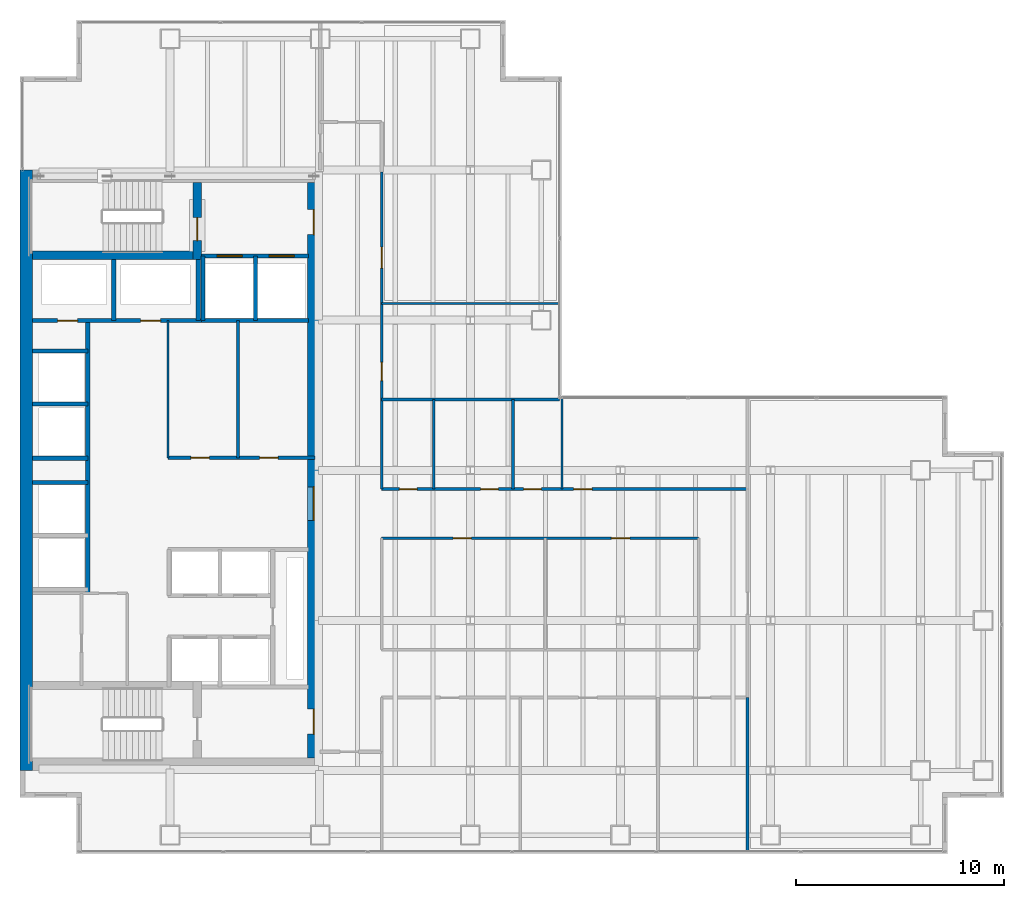
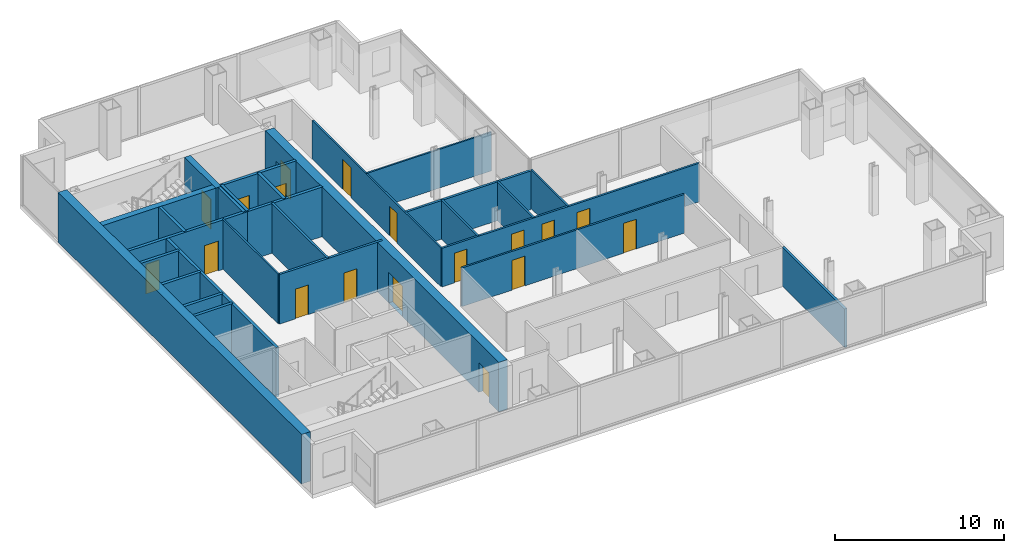
# One storey, part 21 of 24: 28 walls, 18 doors, 18 openings.
"""IFC4 building model written with IfcOpenShell, lengths in metres."""

from ifc_helpers import new_model, si_unit, direction, frame, frame_2d, origin, place, context, subcontext, project, spatial, rectangle, extrude, material, layer, layer_set, type_object, element, fill, save


model = new_model("IFC4")

# Units and contexts
model_context = context("Model", 3, precision=1e-05, world=origin(), true_north=direction((0.0, 1.0)))
body_context = subcontext(model_context, "Body", "Model", "MODEL_VIEW")
ifc_project = project(units=[si_unit("LENGTHUNIT", "METRE"), si_unit("AREAUNIT", "SQUARE_METRE"), si_unit("VOLUMEUNIT", "CUBIC_METRE"), si_unit("PLANEANGLEUNIT", "RADIAN"), si_unit("MASSUNIT", "GRAM", prefix="KILO")], contexts=[model_context])

# Site, building, storey
site_placement = place(None, origin())
site = spatial("IfcSite", under=ifc_project, at=site_placement, CompositionType="ELEMENT")
building_placement = place(site_placement, origin())
building = spatial("IfcBuilding", under=site, at=building_placement, Name="Cobrela Telecom Tower", CompositionType="ELEMENT")
storey_placement = place(building_placement, frame((0.0, 0.0, 106.050048828125)))
storey = spatial("IfcBuildingStorey", under=building, at=storey_placement, Name="L26", CompositionType="ELEMENT", Elevation=106.050048828125)

# Wall
ifc_material_1 = material(Name="Concrete C50/60", Category="concrete")
ifc_layer_1 = layer(ifc_material_1, 0.60009765625)
ifc_layer_set_1 = layer_set([ifc_layer_1], Name="Concrete C50/60")
wall_type_1 = type_object("IfcWallType", Name="WALL-CORE-C50-600", PredefinedType="SHEAR", material=ifc_layer_set_1)
wall_1_placement = place(storey_placement, frame((0.300048828125, 7.199951171875, 0.0), z_axis=(0.0, 0.0, 1.0), x_axis=(0.0, 1.0, 0.0)))
element("IfcWall", 1, at=wall_1_placement, inside=storey, type_object=wall_type_1, Name="L26 West Core Shear Wall", PredefinedType="SHEAR", context=body_context, shape_type="SweptSolid", body=[
    extrude(rectangle(XDim=28.800048828125, YDim=0.60009765625, at=frame_2d((14.39990234375, 0.0))), origin(), (0.0, 0.0, 1.0), 3.579833984375),
])

# Wall, openings, doors
wall_2_placement = place(storey_placement, frame((14.10009765625, 35.39990234375, 0.0), z_axis=(0.0, 0.0, 1.0), x_axis=(0.0, -1.0, 0.0)))
wall_2 = element("IfcWall", 2, at=wall_2_placement, inside=storey, type_object=wall_type_1, Name="L26 East Core Shear Wall", PredefinedType="SHEAR", context=body_context, shape_type="SweptSolid", body=[
    extrude(rectangle(XDim=27.599853515625, YDim=0.60009765625, at=frame_2d((13.7998046875, 0.0))), origin(), (0.0, 0.0, 1.0), 3.579833984375),
])
opening_1_placement = place(wall_2_placement, frame((1.300048828125, 0.0, 0.0)))
opening_1 = element("IfcOpeningElement", 3, at=opening_1_placement, cuts=wall_2, Name="Opening DR-19", PredefinedType="OPENING", context=body_context, shape_type="SweptSolid", body=[
    extrude(rectangle(XDim=1.199951171875, YDim=2.14990234375, at=frame_2d((0.60009765625, 1.074951171875))), frame((0.0, 0.31201171875, 0.0), z_axis=(0.0, -1.0, 0.0), x_axis=(1.0, 0.0, 0.0)), (0.0, 0.0, 1.0), 0.6240234375),
])
opening_2_placement = place(wall_2_placement, frame((25.25, 0.0, 0.0)))
opening_2 = element("IfcOpeningElement", 4, at=opening_2_placement, cuts=wall_2, Name="Opening DR-19", PredefinedType="OPENING", context=body_context, shape_type="SweptSolid", body=[
    extrude(rectangle(XDim=1.199951171875, YDim=2.14990234375, at=frame_2d((0.60009765625, 1.074951171875))), frame((0.0, 0.31201171875, 0.0), z_axis=(0.0, -1.0, 0.0), x_axis=(1.0, 0.0, 0.0)), (0.0, 0.0, 1.0), 0.6240234375),
])
opening_3_placement = place(wall_2_placement, frame((14.60009765625, 0.0, 0.0)))
opening_3 = element("IfcOpeningElement", 5, at=opening_3_placement, cuts=wall_2, Name="Opening DR-51", PredefinedType="OPENING", context=body_context, shape_type="SweptSolid", body=[
    extrude(rectangle(XDim=1.60009765625, YDim=2.199951171875, at=frame_2d((0.800048828125, 1.10009765625))), frame((0.0, 0.31201171875, 0.0), z_axis=(0.0, -1.0, 0.0), x_axis=(1.0, 0.0, 0.0)), (0.0, 0.0, 1.0), 0.6240234375),
])
ifc_material_2 = material(Name="Steel ASTM A36", Category="steel")
door_type_1 = type_object("IfcDoorType", Name="DOOR-FD60-1200", OperationType="SINGLE_SWING_LEFT", PredefinedType="DOOR", material=ifc_material_2)
door_1_placement = place(opening_1_placement, origin())
door_1 = element("IfcDoor", 6, at=door_1_placement, inside=storey, type_object=door_type_1, Name="L26 Door DR-19", OperationType="SINGLE_SWING_LEFT", OverallHeight=2.14990234375, OverallWidth=1.199951171875, PredefinedType="DOOR", context=body_context, shape_type="SweptSolid", body=[
    extrude(rectangle(XDim=1.199951171875, YDim=2.14990234375, at=frame_2d((0.60009765625, 1.074951171875))), frame((0.0, 0.02490234375, 0.0), z_axis=(0.0, -1.0, 0.0), x_axis=(1.0, 0.0, 0.0)), (0.0, 0.0, 1.0), 0.050048828125),
])
fill(opening_1, door_1)
door_2_placement = place(opening_2_placement, origin())
door_2 = element("IfcDoor", 7, at=door_2_placement, inside=storey, type_object=door_type_1, Name="L26 Door DR-19", OperationType="SINGLE_SWING_RIGHT", OverallHeight=2.14990234375, OverallWidth=1.199951171875, PredefinedType="DOOR", context=body_context, shape_type="SweptSolid", body=[
    extrude(rectangle(XDim=1.199951171875, YDim=2.14990234375, at=frame_2d((0.60009765625, 1.074951171875))), frame((0.0, 0.02490234375, 0.0), z_axis=(0.0, -1.0, 0.0), x_axis=(1.0, 0.0, 0.0)), (0.0, 0.0, 1.0), 0.050048828125),
])
fill(opening_2, door_2)
door_type_2 = type_object("IfcDoorType", Name="DOOR-FD60-1600", OperationType="SINGLE_SWING_LEFT", PredefinedType="DOOR", material=ifc_material_2)
door_3_placement = place(opening_3_placement, origin())
door_3 = element("IfcDoor", 8, at=door_3_placement, inside=storey, type_object=door_type_2, Name="L26 Door DR-51", OperationType="DOUBLE_DOOR_SINGLE_SWING", OverallHeight=2.199951171875, OverallWidth=1.60009765625, PredefinedType="DOOR", context=body_context, shape_type="SweptSolid", body=[
    extrude(rectangle(XDim=1.60009765625, YDim=2.199951171875, at=frame_2d((0.800048828125, 1.10009765625))), frame((0.0, 0.02490234375, 0.0), z_axis=(0.0, -1.0, 0.0), x_axis=(1.0, 0.0, 0.0)), (0.0, 0.0, 1.0), 0.050048828125),
])
fill(opening_3, door_3)

# Wall
ifc_material_3 = material(Name="Fire-Rated Gypsum Plasterboard")
ifc_layer_2 = layer(ifc_material_3, 0.110107421875)
ifc_layer_set_2 = layer_set([ifc_layer_2], Name="Fire-Rated Gypsum Plasterboard")
wall_type_2 = type_object("IfcWallType", Name="WALL-PART-110", PredefinedType="PARTITIONING", material=ifc_layer_set_2)
wall_3_placement = place(storey_placement, frame((7.10009765625, 22.199951171875, 0.0), z_axis=(0.0, 0.0, 1.0), x_axis=(0.0, 1.0, 0.0)))
element("IfcWall", 9, at=wall_3_placement, inside=storey, type_object=wall_type_2, Name="L26 Interior Partition CW-RECL-W", PredefinedType="PARTITIONING", context=body_context, shape_type="SweptSolid", body=[
    extrude(rectangle(XDim=6.580078125, YDim=0.110107421875, at=frame_2d((3.2900390625, 0.0))), origin(), (0.0, 0.0, 1.0), 3.579833984375),
])

# Wall, openings, doors
wall_4_placement = place(storey_placement, frame((17.35009765625, 20.699951171875, 0.0), z_axis=(0.0, 0.0, 1.0), x_axis=(0.0, 1.0, 0.0)))
wall_4 = element("IfcWall", 10, at=wall_4_placement, inside=storey, type_object=wall_type_2, Name="L26 Interior Partition W-UW-E2", PredefinedType="PARTITIONING", context=body_context, shape_type="SweptSolid", body=[
    extrude(rectangle(XDim=15.199951171875, YDim=0.110107421875, at=frame_2d((7.60009765625, 0.0))), origin(), (0.0, 0.0, 1.0), 2.79296875),
])
opening_4_placement = place(wall_4_placement, frame((5.199951171875, 0.0, 0.0)))
opening_4 = element("IfcOpeningElement", 11, at=opening_4_placement, cuts=wall_4, Name="Opening DR-39", PredefinedType="OPENING", context=body_context, shape_type="SweptSolid", body=[
    extrude(rectangle(XDim=0.8798828125, YDim=2.14990234375, at=frame_2d((0.43994140625, 1.074951171875))), frame((0.0, 0.06689453125, 0.0), z_axis=(0.0, -1.0, 0.0), x_axis=(1.0, 0.0, 0.0)), (0.0, 0.0, 1.0), 0.134033203125),
])
opening_5_placement = place(wall_4_placement, frame((10.60009765625, 0.0, 0.0)))
opening_5 = element("IfcOpeningElement", 12, at=opening_5_placement, cuts=wall_4, Name="Opening DR-31", PredefinedType="OPENING", context=body_context, shape_type="SweptSolid", body=[
    extrude(rectangle(XDim=1.0, YDim=2.14990234375, at=frame_2d((0.5, 1.074951171875))), frame((0.0, 0.06689453125, 0.0), z_axis=(0.0, -1.0, 0.0), x_axis=(1.0, 0.0, 0.0)), (0.0, 0.0, 1.0), 0.134033203125),
])
ifc_material_4 = material(Name="Solid Engineered Oak Timber", Category="wood")
door_type_3 = type_object("IfcDoorType", Name="DOOR-INT-1000", OperationType="SINGLE_SWING_LEFT", PredefinedType="DOOR", material=ifc_material_4)
door_4_placement = place(opening_5_placement, origin())
door_4 = element("IfcDoor", 13, at=door_4_placement, inside=storey, type_object=door_type_3, Name="L26 Door DR-31", OperationType="SINGLE_SWING_LEFT", OverallHeight=2.14990234375, OverallWidth=1.0, PredefinedType="DOOR", context=body_context, shape_type="SweptSolid", body=[
    extrude(rectangle(XDim=1.0, YDim=2.14990234375, at=frame_2d((0.5, 1.074951171875))), frame((0.0, 0.02490234375, 0.0), z_axis=(0.0, -1.0, 0.0), x_axis=(1.0, 0.0, 0.0)), (0.0, 0.0, 1.0), 0.050048828125),
])
fill(opening_5, door_4)
door_type_4 = type_object("IfcDoorType", Name="DOOR-INT-880", OperationType="SINGLE_SWING_LEFT", PredefinedType="DOOR", material=ifc_material_4)
door_5_placement = place(opening_4_placement, origin())
door_5 = element("IfcDoor", 14, at=door_5_placement, inside=storey, type_object=door_type_4, Name="L26 Door DR-39", OperationType="SINGLE_SWING_RIGHT", OverallHeight=2.14990234375, OverallWidth=0.8798828125, PredefinedType="DOOR", context=body_context, shape_type="SweptSolid", body=[
    extrude(rectangle(XDim=0.8798828125, YDim=2.14990234375, at=frame_2d((0.43994140625, 1.074951171875))), frame((0.0, 0.02490234375, 0.0), z_axis=(0.0, -1.0, 0.0), x_axis=(1.0, 0.0, 0.0)), (0.0, 0.0, 1.0), 0.050048828125),
])
fill(opening_4, door_5)

# Walls
wall_5_placement = place(storey_placement, frame((17.35009765625, 29.60009765625, 0.0), z_axis=(0.0, 0.0, 1.0), x_axis=(1.0, 0.0, 0.0)))
element("IfcWall", 15, at=wall_5_placement, inside=storey, type_object=wall_type_2, Name="L26 Interior Partition W-NPAN-N", PredefinedType="PARTITIONING", context=body_context, shape_type="SweptSolid", body=[
    extrude(rectangle(XDim=8.52978515625, YDim=0.110107421875, at=frame_2d((4.264892578125, 0.0))), origin(), (0.0, 0.0, 1.0), 2.79296875),
])
wall_6_placement = place(storey_placement, frame((26.0, 20.699951171875, 0.0), z_axis=(0.0, 0.0, 1.0), x_axis=(0.0, 1.0, 0.0)))
element("IfcWall", 16, at=wall_6_placement, inside=storey, type_object=wall_type_2, Name="L26 Interior Partition W-UEN-W", PredefinedType="PARTITIONING", context=body_context, shape_type="SweptSolid", body=[
    extrude(rectangle(XDim=4.380126953125, YDim=0.110107421875, at=frame_2d((2.18994140625, 0.0))), origin(), (0.0, 0.0, 1.0), 2.79296875),
])

# Wall, openings, doors
ifc_layer_3 = layer(ifc_material_3, 0.125)
ifc_layer_set_3 = layer_set([ifc_layer_3], Name="Fire-Rated Gypsum Plasterboard")
wall_type_3 = type_object("IfcWallType", Name="WALL-PART-125", PredefinedType="PARTITIONING", material=ifc_layer_set_3)
wall_7_placement = place(storey_placement, frame((17.35009765625, 18.35009765625, 0.0), z_axis=(0.0, 0.0, 1.0), x_axis=(1.0, 0.0, 0.0)))
wall_7 = element("IfcWall", 17, at=wall_7_placement, inside=storey, type_object=wall_type_3, Name="L26 Interior Partition W-ISL-N", PredefinedType="PARTITIONING", context=body_context, shape_type="SweptSolid", body=[
    extrude(rectangle(XDim=15.199951171875, YDim=0.125, at=frame_2d((7.60009765625, 0.0))), origin(), (0.0, 0.0, 1.0), 2.79296875),
])
opening_6_placement = place(wall_7_placement, frame((3.419921875, 0.0, 0.0)))
opening_6 = element("IfcOpeningElement", 18, at=opening_6_placement, cuts=wall_7, Name="Opening DR-39", PredefinedType="OPENING", context=body_context, shape_type="SweptSolid", body=[
    extrude(rectangle(XDim=0.8798828125, YDim=2.14990234375, at=frame_2d((0.43994140625, 1.074951171875))), frame((0.0, 0.074462890625, 0.0), z_axis=(0.0, -1.0, 0.0), x_axis=(1.0, 0.0, 0.0)), (0.0, 0.0, 1.0), 0.14892578125),
])
opening_7_placement = place(wall_7_placement, frame((11.02001953125, 0.0, 0.0)))
opening_7 = element("IfcOpeningElement", 19, at=opening_7_placement, cuts=wall_7, Name="Opening DR-39", PredefinedType="OPENING", context=body_context, shape_type="SweptSolid", body=[
    extrude(rectangle(XDim=0.8798828125, YDim=2.14990234375, at=frame_2d((0.43994140625, 1.074951171875))), frame((0.0, 0.074462890625, 0.0), z_axis=(0.0, -1.0, 0.0), x_axis=(1.0, 0.0, 0.0)), (0.0, 0.0, 1.0), 0.14892578125),
])
door_6_placement = place(opening_6_placement, origin())
door_6 = element("IfcDoor", 20, at=door_6_placement, inside=storey, type_object=door_type_4, Name="L26 Door DR-39", OperationType="SINGLE_SWING_LEFT", OverallHeight=2.14990234375, OverallWidth=0.8798828125, PredefinedType="DOOR", context=body_context, shape_type="SweptSolid", body=[
    extrude(rectangle(XDim=0.8798828125, YDim=2.14990234375, at=frame_2d((0.43994140625, 1.074951171875))), frame((0.0, 0.02490234375, 0.0), z_axis=(0.0, -1.0, 0.0), x_axis=(1.0, 0.0, 0.0)), (0.0, 0.0, 1.0), 0.050048828125),
])
fill(opening_6, door_6)
door_7_placement = place(opening_7_placement, origin())
door_7 = element("IfcDoor", 21, at=door_7_placement, inside=storey, type_object=door_type_4, Name="L26 Door DR-39", OperationType="SINGLE_SWING_RIGHT", OverallHeight=2.14990234375, OverallWidth=0.8798828125, PredefinedType="DOOR", context=body_context, shape_type="SweptSolid", body=[
    extrude(rectangle(XDim=0.8798828125, YDim=2.14990234375, at=frame_2d((0.43994140625, 1.074951171875))), frame((0.0, 0.02490234375, 0.0), z_axis=(0.0, -1.0, 0.0), x_axis=(1.0, 0.0, 0.0)), (0.0, 0.0, 1.0), 0.050048828125),
])
fill(opening_7, door_7)

# Walls
for number, where, z_axis, x_axis, name in (
    (22, (19.85009765625, 20.699951171875, 0.0), (0.0, 0.0, 1.0), (0.0, 1.0, 0.0), "L26 Interior Partition W-WC-V1"),
    (23, (23.64990234375, 20.699951171875, 0.0), (0.0, 0.0, 1.0), (0.0, 1.0, 0.0), "L26 Interior Partition W-WC-V2"),
):
    element("IfcWall", number, at=place(storey_placement, frame(where, z_axis=z_axis, x_axis=x_axis)), inside=storey, type_object=wall_type_3, Name=name, PredefinedType="PARTITIONING", context=body_context, shape_type="SweptSolid", body=[
        extrude(rectangle(XDim=4.300048828125, YDim=0.125, at=frame_2d((2.14990234375, 0.0))), origin(), (0.0, 0.0, 1.0), 2.79296875),
    ])

# Wall, openings, doors
ifc_layer_4 = layer(ifc_material_3, 0.135009765625)
ifc_layer_set_4 = layer_set([ifc_layer_4], Name="Fire-Rated Gypsum Plasterboard")
wall_type_4 = type_object("IfcWallType", Name="WALL-PART-135", PredefinedType="PARTITIONING", material=ifc_layer_set_4)
wall_8_placement = place(storey_placement, frame((17.35009765625, 20.699951171875, 0.0), z_axis=(0.0, 0.0, 1.0), x_axis=(1.0, 0.0, 0.0)))
wall_8 = element("IfcWall", 24, at=wall_8_placement, inside=storey, type_object=wall_type_4, Name="L26 Interior Partition W-UN-N", PredefinedType="PARTITIONING", context=body_context, shape_type="SweptSolid", body=[
    extrude(rectangle(XDim=17.5498046875, YDim=0.135009765625, at=frame_2d((8.77490234375, 0.0))), origin(), (0.0, 0.0, 1.0), 2.79296875),
])
opening_8_placement = place(wall_8_placement, frame((0.85009765625, 0.0, 0.0)))
opening_8 = element("IfcOpeningElement", 25, at=opening_8_placement, cuts=wall_8, Name="Opening DR-11", PredefinedType="OPENING", context=body_context, shape_type="SweptSolid", body=[
    extrude(rectangle(XDim=0.85009765625, YDim=2.14990234375, at=frame_2d((0.425048828125, 1.074951171875))), frame((0.0, 0.07958984375, 0.0), z_axis=(0.0, -1.0, 0.0), x_axis=(1.0, 0.0, 0.0)), (0.0, 0.0, 1.0), 0.158935546875),
])
opening_9_placement = place(wall_8_placement, frame((4.75, 0.0, 0.0)))
opening_9 = element("IfcOpeningElement", 26, at=opening_9_placement, cuts=wall_8, Name="Opening DR-11", PredefinedType="OPENING", context=body_context, shape_type="SweptSolid", body=[
    extrude(rectangle(XDim=0.85009765625, YDim=2.14990234375, at=frame_2d((0.425048828125, 1.074951171875))), frame((0.0, 0.07958984375, 0.0), z_axis=(0.0, -1.0, 0.0), x_axis=(1.0, 0.0, 0.0)), (0.0, 0.0, 1.0), 0.158935546875),
])
opening_10_placement = place(wall_8_placement, frame((6.81005859375, 0.0, 0.0)))
opening_10 = element("IfcOpeningElement", 27, at=opening_10_placement, cuts=wall_8, Name="Opening DR-11", PredefinedType="OPENING", context=body_context, shape_type="SweptSolid", body=[
    extrude(rectangle(XDim=0.85009765625, YDim=2.14990234375, at=frame_2d((0.425048828125, 1.074951171875))), frame((0.0, 0.07958984375, 0.0), z_axis=(0.0, -1.0, 0.0), x_axis=(1.0, 0.0, 0.0)), (0.0, 0.0, 1.0), 0.158935546875),
])
opening_11_placement = place(wall_8_placement, frame((9.2099609375, 0.0, 0.0)))
opening_11 = element("IfcOpeningElement", 28, at=opening_11_placement, cuts=wall_8, Name="Opening DR-39", PredefinedType="OPENING", context=body_context, shape_type="SweptSolid", body=[
    extrude(rectangle(XDim=0.8798828125, YDim=2.14990234375, at=frame_2d((0.43994140625, 1.074951171875))), frame((0.0, 0.07958984375, 0.0), z_axis=(0.0, -1.0, 0.0), x_axis=(1.0, 0.0, 0.0)), (0.0, 0.0, 1.0), 0.158935546875),
])
door_type_5 = type_object("IfcDoorType", Name="DOOR-INT-850", OperationType="SINGLE_SWING_LEFT", PredefinedType="DOOR", material=ifc_material_4)
door_8_placement = place(opening_8_placement, origin())
door_8 = element("IfcDoor", 29, at=door_8_placement, inside=storey, type_object=door_type_5, Name="L26 Door DR-11", OperationType="SINGLE_SWING_LEFT", OverallHeight=2.14990234375, OverallWidth=0.85009765625, PredefinedType="DOOR", context=body_context, shape_type="SweptSolid", body=[
    extrude(rectangle(XDim=0.85009765625, YDim=2.14990234375, at=frame_2d((0.425048828125, 1.074951171875))), frame((0.0, 0.02490234375, 0.0), z_axis=(0.0, -1.0, 0.0), x_axis=(1.0, 0.0, 0.0)), (0.0, 0.0, 1.0), 0.050048828125),
])
fill(opening_8, door_8)
door_9_placement = place(opening_9_placement, origin())
door_9 = element("IfcDoor", 30, at=door_9_placement, inside=storey, type_object=door_type_5, Name="L26 Door DR-11", OperationType="SINGLE_SWING_RIGHT", OverallHeight=2.14990234375, OverallWidth=0.85009765625, PredefinedType="DOOR", context=body_context, shape_type="SweptSolid", body=[
    extrude(rectangle(XDim=0.85009765625, YDim=2.14990234375, at=frame_2d((0.425048828125, 1.074951171875))), frame((0.0, 0.02490234375, 0.0), z_axis=(0.0, -1.0, 0.0), x_axis=(1.0, 0.0, 0.0)), (0.0, 0.0, 1.0), 0.050048828125),
])
fill(opening_9, door_9)
door_10_placement = place(opening_10_placement, origin())
door_10 = element("IfcDoor", 31, at=door_10_placement, inside=storey, type_object=door_type_5, Name="L26 Door DR-11", OperationType="SINGLE_SWING_LEFT", OverallHeight=2.14990234375, OverallWidth=0.85009765625, PredefinedType="DOOR", context=body_context, shape_type="SweptSolid", body=[
    extrude(rectangle(XDim=0.85009765625, YDim=2.14990234375, at=frame_2d((0.425048828125, 1.074951171875))), frame((0.0, 0.02490234375, 0.0), z_axis=(0.0, -1.0, 0.0), x_axis=(1.0, 0.0, 0.0)), (0.0, 0.0, 1.0), 0.050048828125),
])
fill(opening_10, door_10)
door_11_placement = place(opening_11_placement, origin())
door_11 = element("IfcDoor", 32, at=door_11_placement, inside=storey, type_object=door_type_4, Name="L26 Door DR-39", OperationType="SINGLE_SWING_RIGHT", OverallHeight=2.14990234375, OverallWidth=0.8798828125, PredefinedType="DOOR", context=body_context, shape_type="SweptSolid", body=[
    extrude(rectangle(XDim=0.8798828125, YDim=2.14990234375, at=frame_2d((0.43994140625, 1.074951171875))), frame((0.0, 0.02490234375, 0.0), z_axis=(0.0, -1.0, 0.0), x_axis=(1.0, 0.0, 0.0)), (0.0, 0.0, 1.0), 0.050048828125),
])
fill(opening_11, door_11)

# Wall
ifc_layer_5 = layer(ifc_material_3, 0.14990234375)
ifc_layer_set_5 = layer_set([ifc_layer_5], Name="Fire-Rated Gypsum Plasterboard")
wall_type_5 = type_object("IfcWallType", Name="WALL-PART-150", PredefinedType="PARTITIONING", material=ifc_layer_set_5)
wall_9_placement = place(storey_placement, frame((10.449951171875, 22.199951171875, 0.0), z_axis=(0.0, 0.0, 1.0), x_axis=(0.0, 1.0, 0.0)))
element("IfcWall", 33, at=wall_9_placement, inside=storey, type_object=wall_type_5, Name="L26 Interior Partition CW-RECL-V", PredefinedType="PARTITIONING", context=body_context, shape_type="SweptSolid", body=[
    extrude(rectangle(XDim=6.580078125, YDim=0.14990234375, at=frame_2d((3.2900390625, 0.0))), origin(), (0.0, 0.0, 1.0), 3.579833984375),
])

# Wall, openings, doors
ifc_layer_6 = layer(ifc_material_3, 0.159912109375)
ifc_layer_set_6 = layer_set([ifc_layer_6], Name="Fire-Rated Gypsum Plasterboard")
wall_type_6 = type_object("IfcWallType", Name="WALL-PART-160", PredefinedType="PARTITIONING", material=ifc_layer_set_6)
wall_10_placement = place(storey_placement, frame((7.10009765625, 22.199951171875, 0.0), z_axis=(0.0, 0.0, 1.0), x_axis=(1.0, 0.0, 0.0)))
wall_10 = element("IfcWall", 34, at=wall_10_placement, inside=storey, type_object=wall_type_6, Name="L26 Interior Partition CW-RECL-S", PredefinedType="PARTITIONING", context=body_context, shape_type="SweptSolid", body=[
    extrude(rectangle(XDim=7.0498046875, YDim=0.159912109375, at=frame_2d((3.52490234375, 0.0))), origin(), (0.0, 0.0, 1.0), 3.579833984375),
])
opening_12_placement = place(wall_10_placement, frame((1.10009765625, 0.0, 0.0)))
opening_12 = element("IfcOpeningElement", 35, at=opening_12_placement, cuts=wall_10, Name="Opening DR-39", PredefinedType="OPENING", context=body_context, shape_type="SweptSolid", body=[
    extrude(rectangle(XDim=0.8798828125, YDim=2.14990234375, at=frame_2d((0.43994140625, 1.074951171875))), frame((0.0, 0.091796875, 0.0), z_axis=(0.0, -1.0, 0.0), x_axis=(1.0, 0.0, 0.0)), (0.0, 0.0, 1.0), 0.183837890625),
])
opening_13_placement = place(wall_10_placement, frame((4.39990234375, 0.0, 0.0)))
opening_13 = element("IfcOpeningElement", 36, at=opening_13_placement, cuts=wall_10, Name="Opening DR-39", PredefinedType="OPENING", context=body_context, shape_type="SweptSolid", body=[
    extrude(rectangle(XDim=0.8798828125, YDim=2.14990234375, at=frame_2d((0.43994140625, 1.074951171875))), frame((0.0, 0.091796875, 0.0), z_axis=(0.0, -1.0, 0.0), x_axis=(1.0, 0.0, 0.0)), (0.0, 0.0, 1.0), 0.183837890625),
])
door_12_placement = place(opening_12_placement, origin())
door_12 = element("IfcDoor", 37, at=door_12_placement, inside=storey, type_object=door_type_4, Name="L26 Door DR-39", OperationType="SINGLE_SWING_LEFT", OverallHeight=2.14990234375, OverallWidth=0.8798828125, PredefinedType="DOOR", context=body_context, shape_type="SweptSolid", body=[
    extrude(rectangle(XDim=0.8798828125, YDim=2.14990234375, at=frame_2d((0.43994140625, 1.074951171875))), frame((0.0, 0.02490234375, 0.0), z_axis=(0.0, -1.0, 0.0), x_axis=(1.0, 0.0, 0.0)), (0.0, 0.0, 1.0), 0.050048828125),
])
fill(opening_12, door_12)
door_13_placement = place(opening_13_placement, origin())
door_13 = element("IfcDoor", 38, at=door_13_placement, inside=storey, type_object=door_type_4, Name="L26 Door DR-39", OperationType="SINGLE_SWING_RIGHT", OverallHeight=2.14990234375, OverallWidth=0.8798828125, PredefinedType="DOOR", context=body_context, shape_type="SweptSolid", body=[
    extrude(rectangle(XDim=0.8798828125, YDim=2.14990234375, at=frame_2d((0.43994140625, 1.074951171875))), frame((0.0, 0.02490234375, 0.0), z_axis=(0.0, -1.0, 0.0), x_axis=(1.0, 0.0, 0.0)), (0.0, 0.0, 1.0), 0.050048828125),
])
fill(opening_13, door_13)

# Walls
wall_11_placement = place(storey_placement, frame((17.35009765625, 25.0, 0.0), z_axis=(0.0, 0.0, 1.0), x_axis=(1.0, 0.0, 0.0)))
element("IfcWall", 39, at=wall_11_placement, inside=storey, type_object=wall_type_6, Name="L26 Interior Partition W-WC-N", PredefinedType="PARTITIONING", context=body_context, shape_type="SweptSolid", body=[
    extrude(rectangle(XDim=8.52978515625, YDim=0.159912109375, at=frame_2d((4.264892578125, 0.0))), origin(), (0.0, 0.0, 1.0), 2.79296875),
])
wall_12_placement = place(storey_placement, frame((34.89990234375, 3.320068359375, 0.0), z_axis=(0.0, 0.0, 1.0), x_axis=(0.0, 1.0, 0.0)))
element("IfcWall", 40, at=wall_12_placement, inside=storey, type_object=wall_type_6, Name="L26 Interior Partition W-UFE-S", PredefinedType="PARTITIONING", context=body_context, shape_type="SweptSolid", body=[
    extrude(rectangle(XDim=7.3798828125, YDim=0.159912109375, at=frame_2d((3.68994140625, 0.0))), origin(), (0.0, 0.0, 1.0), 2.79296875),
])

# Wall, openings, doors
ifc_layer_7 = layer(ifc_material_3, 0.199951171875)
ifc_layer_set_7 = layer_set([ifc_layer_7], Name="Fire-Rated Gypsum Plasterboard")
wall_type_7 = type_object("IfcWallType", Name="WALL-SHAFT-200", PredefinedType="PARTITIONING", material=ifc_layer_set_7)
wall_13_placement = place(storey_placement, frame((8.699951171875, 31.8798828125, 0.0), z_axis=(0.0, 0.0, 1.0), x_axis=(1.0, 0.0, 0.0)))
wall_13 = element("IfcWall", 41, at=wall_13_placement, inside=storey, type_object=wall_type_7, Name="L26 Shaft Enclosure CW-FFL-S", PredefinedType="PARTITIONING", context=body_context, shape_type="SweptSolid", body=[
    extrude(rectangle(XDim=5.150146484375, YDim=0.199951171875, at=frame_2d((2.5751953125, 0.0))), origin(), (0.0, 0.0, 1.0), 3.579833984375),
])
opening_14_placement = place(wall_13_placement, frame((0.75, 0.0, 0.0)))
opening_14 = element("IfcOpeningElement", 42, at=opening_14_placement, cuts=wall_13, Name="Opening LD-2", PredefinedType="OPENING", context=body_context, shape_type="SweptSolid", body=[
    extrude(rectangle(XDim=1.199951171875, YDim=2.199951171875, at=frame_2d((0.60009765625, 1.10009765625))), frame((0.0, 0.11181640625, 0.0), z_axis=(0.0, -1.0, 0.0), x_axis=(1.0, 0.0, 0.0)), (0.0, 0.0, 1.0), 0.223876953125),
])
opening_15_placement = place(wall_13_placement, frame((3.25, 0.0, 0.0)))
opening_15 = element("IfcOpeningElement", 43, at=opening_15_placement, cuts=wall_13, Name="Opening LD-2", PredefinedType="OPENING", context=body_context, shape_type="SweptSolid", body=[
    extrude(rectangle(XDim=1.199951171875, YDim=2.199951171875, at=frame_2d((0.60009765625, 1.10009765625))), frame((0.0, 0.11181640625, 0.0), z_axis=(0.0, -1.0, 0.0), x_axis=(1.0, 0.0, 0.0)), (0.0, 0.0, 1.0), 0.223876953125),
])
door_type_6 = type_object("IfcDoorType", Name="DOOR-LD-FFL", OperationType="SINGLE_SWING_LEFT", PredefinedType="DOOR", material=ifc_material_2)
door_14_placement = place(opening_14_placement, origin())
door_14 = element("IfcDoor", 44, at=door_14_placement, inside=storey, type_object=door_type_6, Name="L26 Lift Landing Door LD-2", OperationType="DOUBLE_DOOR_SLIDING", OverallHeight=2.199951171875, OverallWidth=1.199951171875, PredefinedType="DOOR", context=body_context, shape_type="SweptSolid", body=[
    extrude(rectangle(XDim=1.199951171875, YDim=2.199951171875, at=frame_2d((0.60009765625, 1.10009765625))), frame((0.0, 0.02490234375, 0.0), z_axis=(0.0, -1.0, 0.0), x_axis=(1.0, 0.0, 0.0)), (0.0, 0.0, 1.0), 0.050048828125),
])
fill(opening_14, door_14)
door_15_placement = place(opening_15_placement, origin())
door_15 = element("IfcDoor", 45, at=door_15_placement, inside=storey, type_object=door_type_6, Name="L26 Lift Landing Door LD-2", OperationType="DOUBLE_DOOR_SLIDING", OverallHeight=2.199951171875, OverallWidth=1.199951171875, PredefinedType="DOOR", context=body_context, shape_type="SweptSolid", body=[
    extrude(rectangle(XDim=1.199951171875, YDim=2.199951171875, at=frame_2d((0.60009765625, 1.10009765625))), frame((0.0, 0.02490234375, 0.0), z_axis=(0.0, -1.0, 0.0), x_axis=(1.0, 0.0, 0.0)), (0.0, 0.0, 1.0), 0.050048828125),
])
fill(opening_15, door_15)

# Walls
wall_14_placement = place(storey_placement, frame((8.699951171875, 28.780029296875, 0.0), z_axis=(0.0, 0.0, 1.0), x_axis=(1.0, 0.0, 0.0)))
element("IfcWall", 46, at=wall_14_placement, inside=storey, type_object=wall_type_7, Name="L26 Shaft Enclosure CW-FFL-S2", PredefinedType="PARTITIONING", context=body_context, shape_type="SweptSolid", body=[
    extrude(rectangle(XDim=5.150146484375, YDim=0.199951171875, at=frame_2d((2.5751953125, 0.0))), origin(), (0.0, 0.0, 1.0), 3.579833984375),
])
for number, where, z_axis, x_axis, name in (
    (47, (8.780029296875, 28.780029296875, 0.0), (0.0, 0.0, 1.0), (0.0, 1.0, 0.0), "L26 Shaft Enclosure CW-FFL-W"),
    (48, (11.300048828125, 28.780029296875, 0.0), (0.0, 0.0, 1.0), (0.0, 1.0, 0.0), "L26 Shaft Enclosure CW-FFL-M"),
):
    element("IfcWall", number, at=place(storey_placement, frame(where, z_axis=z_axis, x_axis=x_axis)), inside=storey, type_object=wall_type_7, Name=name, PredefinedType="PARTITIONING", context=body_context, shape_type="SweptSolid", body=[
        extrude(rectangle(XDim=3.099853515625, YDim=0.199951171875, at=frame_2d((1.5498046875, 0.0))), origin(), (0.0, 0.0, 1.0), 3.579833984375),
    ])

# Wall, openings, doors
wall_15_placement = place(storey_placement, frame((0.60009765625, 28.780029296875, 0.0), z_axis=(0.0, 0.0, 1.0), x_axis=(1.0, 0.0, 0.0)))
wall_15 = element("IfcWall", 49, at=wall_15_placement, inside=storey, type_object=wall_type_7, Name="L26 Shaft Enclosure CW-RIS-S", PredefinedType="PARTITIONING", context=body_context, shape_type="SweptSolid", body=[
    extrude(rectangle(XDim=8.179931640625, YDim=0.199951171875, at=frame_2d((4.08984375, 0.0))), origin(), (0.0, 0.0, 1.0), 3.579833984375),
])
opening_16_placement = place(wall_15_placement, frame((1.2099609375, 0.0, 0.0)))
opening_16 = element("IfcOpeningElement", 50, at=opening_16_placement, cuts=wall_15, Name="Opening DR-65", PredefinedType="OPENING", context=body_context, shape_type="SweptSolid", body=[
    extrude(rectangle(XDim=0.949951171875, YDim=2.14990234375, at=frame_2d((0.47509765625, 1.074951171875))), frame((0.0, 0.11181640625, 0.0), z_axis=(0.0, -1.0, 0.0), x_axis=(1.0, 0.0, 0.0)), (0.0, 0.0, 1.0), 0.223876953125),
])
opening_17_placement = place(wall_15_placement, frame((5.18994140625, 0.0, 0.0)))
opening_17 = element("IfcOpeningElement", 51, at=opening_17_placement, cuts=wall_15, Name="Opening DR-65", PredefinedType="OPENING", context=body_context, shape_type="SweptSolid", body=[
    extrude(rectangle(XDim=0.949951171875, YDim=2.14990234375, at=frame_2d((0.47509765625, 1.074951171875))), frame((0.0, 0.11181640625, 0.0), z_axis=(0.0, -1.0, 0.0), x_axis=(1.0, 0.0, 0.0)), (0.0, 0.0, 1.0), 0.223876953125),
])
door_type_7 = type_object("IfcDoorType", Name="DOOR-FD60-950", OperationType="SINGLE_SWING_LEFT", PredefinedType="DOOR", material=ifc_material_2)
door_16_placement = place(opening_16_placement, origin())
door_16 = element("IfcDoor", 52, at=door_16_placement, inside=storey, type_object=door_type_7, Name="L26 Door DR-65", OperationType="SINGLE_SWING_LEFT", OverallHeight=2.14990234375, OverallWidth=0.949951171875, PredefinedType="DOOR", context=body_context, shape_type="SweptSolid", body=[
    extrude(rectangle(XDim=0.949951171875, YDim=2.14990234375, at=frame_2d((0.47509765625, 1.074951171875))), frame((0.0, 0.02490234375, 0.0), z_axis=(0.0, -1.0, 0.0), x_axis=(1.0, 0.0, 0.0)), (0.0, 0.0, 1.0), 0.050048828125),
])
fill(opening_16, door_16)
door_17_placement = place(opening_17_placement, origin())
door_17 = element("IfcDoor", 53, at=door_17_placement, inside=storey, type_object=door_type_7, Name="L26 Door DR-65", OperationType="SINGLE_SWING_RIGHT", OverallHeight=2.14990234375, OverallWidth=0.949951171875, PredefinedType="DOOR", context=body_context, shape_type="SweptSolid", body=[
    extrude(rectangle(XDim=0.949951171875, YDim=2.14990234375, at=frame_2d((0.47509765625, 1.074951171875))), frame((0.0, 0.02490234375, 0.0), z_axis=(0.0, -1.0, 0.0), x_axis=(1.0, 0.0, 0.0)), (0.0, 0.0, 1.0), 0.050048828125),
])
fill(opening_17, door_17)

# Walls
for number, where, z_axis, x_axis, name in (
    (54, (4.5, 28.780029296875, 0.0), (0.0, 0.0, 1.0), (0.0, 1.0, 0.0), "L26 Shaft Enclosure CW-RIS-M"),
    (55, (8.550048828125, 28.780029296875, 0.0), (0.0, 0.0, 1.0), (0.0, 1.0, 0.0), "L26 Shaft Enclosure CW-RIS-E"),
):
    element("IfcWall", number, at=place(storey_placement, frame(where, z_axis=z_axis, x_axis=x_axis)), inside=storey, type_object=wall_type_7, Name=name, PredefinedType="PARTITIONING", context=body_context, shape_type="SweptSolid", body=[
        extrude(rectangle(XDim=2.93994140625, YDim=0.199951171875, at=frame_2d((1.469970703125, 0.0))), origin(), (0.0, 0.0, 1.0), 3.579833984375),
    ])
wall_16_placement = place(storey_placement, frame((3.25, 15.699951171875, 0.0), z_axis=(0.0, 0.0, 1.0), x_axis=(0.0, 1.0, 0.0)))
element("IfcWall", 56, at=wall_16_placement, inside=storey, type_object=wall_type_7, Name="L26 Shaft Enclosure CW-PLH-E", PredefinedType="PARTITIONING", context=body_context, shape_type="SweptSolid", body=[
    extrude(rectangle(XDim=13.080078125, YDim=0.199951171875, at=frame_2d((6.5400390625, 0.0))), origin(), (0.0, 0.0, 1.0), 3.579833984375),
])
for number, where, z_axis, x_axis, name in (
    (57, (0.60009765625, 22.179931640625, 0.0), (0.0, 0.0, 1.0), (1.0, 0.0, 0.0), "L26 Shaft Enclosure CW-PLH-D11"),
    (58, (0.60009765625, 24.780029296875, 0.0), (0.0, 0.0, 1.0), (1.0, 0.0, 0.0), "L26 Shaft Enclosure CW-PLH-D12"),
    (59, (0.60009765625, 21.02001953125, 0.0), (0.0, 0.0, 1.0), (1.0, 0.0, 0.0), "L26 Shaft Enclosure CW-PLH-MID"),
    (60, (0.60009765625, 27.320068359375, 0.0), (0.0, 0.0, 1.0), (1.0, 0.0, 0.0), "L26 Shaft Enclosure CW-PLH-TOP"),
):
    element("IfcWall", number, at=place(storey_placement, frame(where, z_axis=z_axis, x_axis=x_axis)), inside=storey, type_object=wall_type_7, Name=name, PredefinedType="PARTITIONING", context=body_context, shape_type="SweptSolid", body=[
        extrude(rectangle(XDim=2.64990234375, YDim=0.199951171875, at=frame_2d((1.324951171875, 0.0))), origin(), (0.0, 0.0, 1.0), 3.579833984375),
    ])
ifc_material_5 = material(Name="Concrete C40/50", Category="concrete")
ifc_layer_8 = layer(ifc_material_5, 0.39990234375)
ifc_layer_set_8 = layer_set([ifc_layer_8], Name="Concrete C40/50")
wall_type_8 = type_object("IfcWallType", Name="WALL-SHAFT-C40-400", PredefinedType="SHEAR", material=ifc_layer_set_8)
wall_17_placement = place(storey_placement, frame((0.60009765625, 31.919921875, 0.0), z_axis=(0.0, 0.0, 1.0), x_axis=(1.0, 0.0, 0.0)))
element("IfcWall", 61, at=wall_17_placement, inside=storey, type_object=wall_type_8, Name="L26 North Stair Shear Wall", PredefinedType="SHEAR", context=body_context, shape_type="SweptSolid", body=[
    extrude(rectangle(XDim=7.699951171875, YDim=0.39990234375, at=frame_2d((3.85009765625, 0.0))), origin(), (0.0, 0.0, 1.0), 3.579833984375),
])

# Wall, opening, door
wall_18_placement = place(storey_placement, frame((8.5, 31.719970703125, 0.0), z_axis=(0.0, 0.0, 1.0), x_axis=(0.0, 1.0, 0.0)))
wall_18 = element("IfcWall", 62, at=wall_18_placement, inside=storey, type_object=wall_type_8, Name="L26 North Stair Lobby Shear Wall", PredefinedType="SHEAR", context=body_context, shape_type="SweptSolid", body=[
    extrude(rectangle(XDim=3.679931640625, YDim=0.39990234375, at=frame_2d((1.83984375, 0.0))), origin(), (0.0, 0.0, 1.0), 3.579833984375),
])
opening_18_placement = place(wall_18_placement, frame((0.89990234375, 0.0, 0.0)))
opening_18 = element("IfcOpeningElement", 63, at=opening_18_placement, cuts=wall_18, Name="Opening DR-59", PredefinedType="OPENING", context=body_context, shape_type="SweptSolid", body=[
    extrude(rectangle(XDim=1.10009765625, YDim=2.14990234375, at=frame_2d((0.550048828125, 1.074951171875))), frame((0.0, 0.2119140625, 0.0), z_axis=(0.0, -1.0, 0.0), x_axis=(1.0, 0.0, 0.0)), (0.0, 0.0, 1.0), 0.423828125),
])
door_type_8 = type_object("IfcDoorType", Name="DOOR-FD60-1100", OperationType="SINGLE_SWING_LEFT", PredefinedType="DOOR", material=ifc_material_2)
door_18_placement = place(opening_18_placement, origin())
door_18 = element("IfcDoor", 64, at=door_18_placement, inside=storey, type_object=door_type_8, Name="L26 Door DR-59", OperationType="SINGLE_SWING_RIGHT", OverallHeight=2.14990234375, OverallWidth=1.10009765625, PredefinedType="DOOR", context=body_context, shape_type="SweptSolid", body=[
    extrude(rectangle(XDim=1.10009765625, YDim=2.14990234375, at=frame_2d((0.550048828125, 1.074951171875))), frame((0.0, 0.02490234375, 0.0), z_axis=(0.0, -1.0, 0.0), x_axis=(1.0, 0.0, 0.0)), (0.0, 0.0, 1.0), 0.050048828125),
])
fill(opening_18, door_18)

save(model, "model.ifc")
